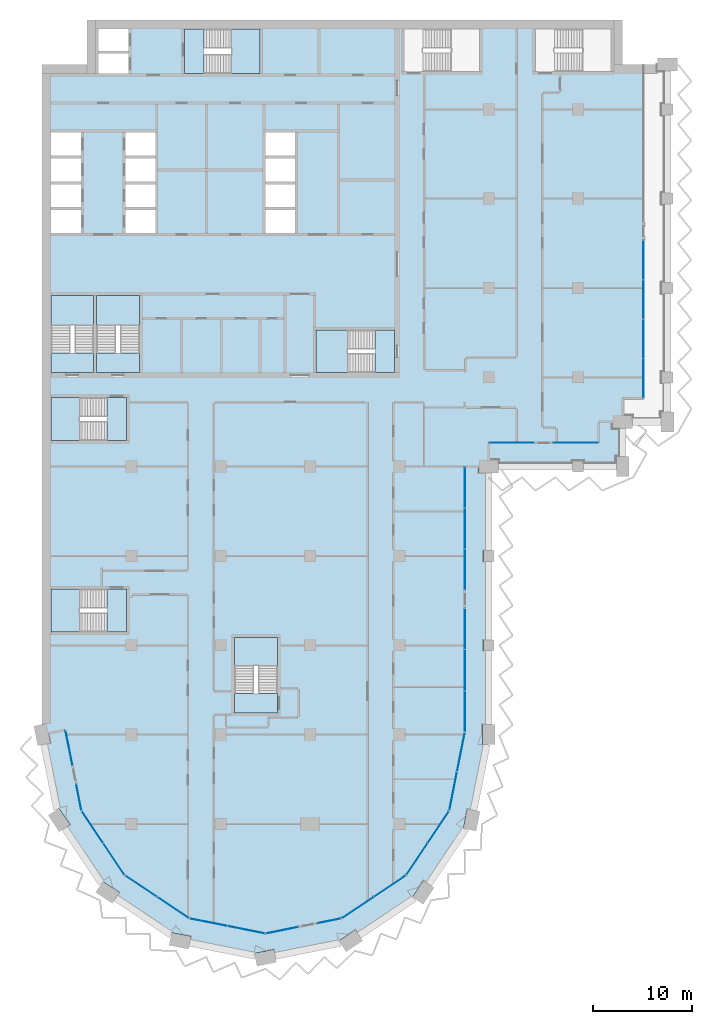
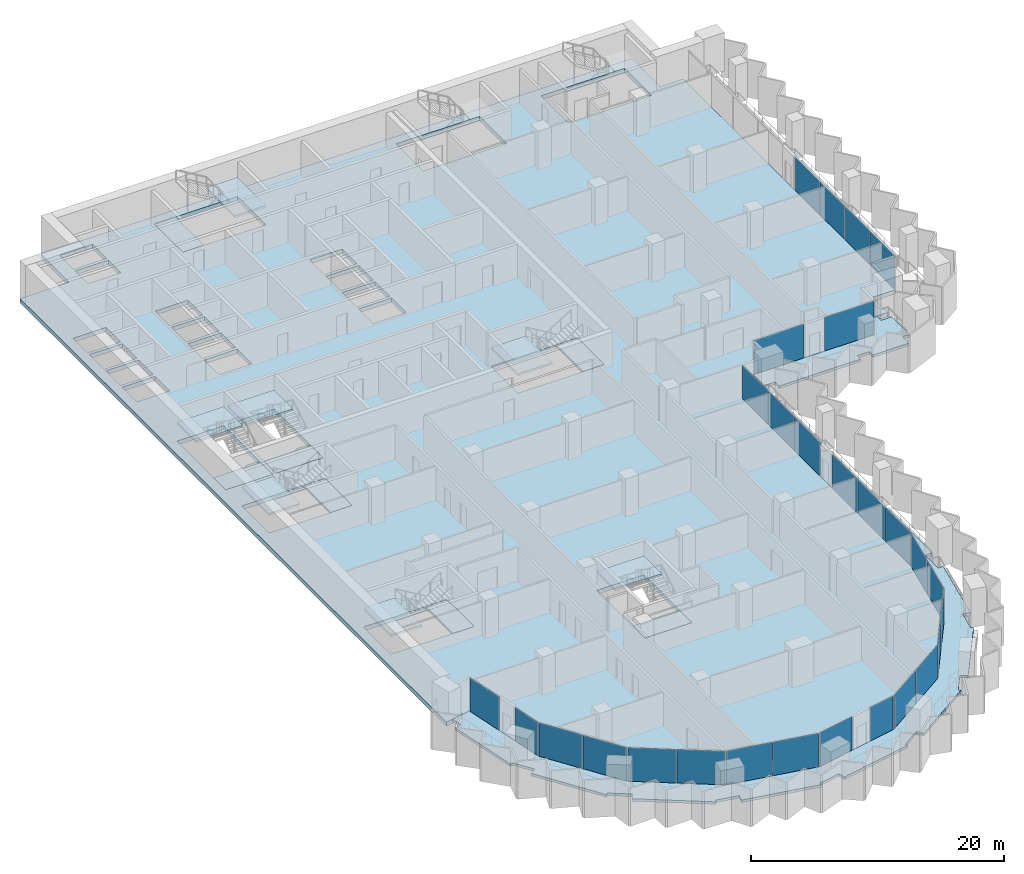
# One storey, part 6 of 22: 28 plates, 17 slabs, 22 elements without a shape of their own.
"""IFC4 building model written with IfcOpenShell, lengths in metres."""

from ifc_helpers import new_model, si_unit, direction, frame, origin, origin_2d, place, context, subcontext, project, spatial, polyline, rectangle, outline, extrude, material, layer, layer_set, type_object, element, aggregate, save


model = new_model("IFC4")

# Units and contexts
model_context = context("Model", 3, precision=1e-05, world=origin(), true_north=direction((0.0, 1.0)))
body_context = subcontext(model_context, "Body", "Model", "MODEL_VIEW")
ifc_project = project(units=[si_unit("LENGTHUNIT", "METRE"), si_unit("AREAUNIT", "SQUARE_METRE"), si_unit("VOLUMEUNIT", "CUBIC_METRE"), si_unit("PLANEANGLEUNIT", "RADIAN"), si_unit("MASSUNIT", "GRAM", prefix="KILO")], contexts=[model_context])

# Site, building, storey
site_placement = place(None, origin())
site = spatial("IfcSite", under=ifc_project, at=site_placement, CompositionType="ELEMENT")
building_placement = place(site_placement, origin())
building = spatial("IfcBuilding", under=site, at=building_placement, Name="Hunhe Ridgeline Campus", CompositionType="ELEMENT")
storey_placement = place(building_placement, frame((0.0, 0.0, 137.5)))
storey = spatial("IfcBuildingStorey", under=building, at=storey_placement, Name="L34", CompositionType="ELEMENT", Elevation=137.5)

# Curtain wall, plate
ifc_material_1 = material(Name="Aluminium 6063", Category="aluminium")
curtain_wall_type_1 = type_object("IfcCurtainWallType", Name="Curtain wall CW-5", PredefinedType="NOTDEFINED", material=ifc_material_1)
curtain_wall_1_placement = place(storey_placement, origin())
curtain_wall_1 = element("IfcCurtainWall", 1, at=curtain_wall_1_placement, inside=storey, type_object=curtain_wall_type_1, Name="Curtain wall 01", PredefinedType="NOTDEFINED")
ifc_material_2 = material(Name="Low-e laminated glass", Category="glass")
ifc_layer_1 = layer(ifc_material_2, 0.028076171875)
ifc_layer_set_1 = layer_set([ifc_layer_1], Name="Curtain wall glass panel 28 low-e laminated")
plate_type = type_object("IfcPlateType", Name="Curtain wall glass panel 28 low-e laminated", PredefinedType="CURTAIN_PANEL", material=ifc_layer_set_1)
plate_1_placement = place(storey_placement, frame((2.7158203125, 25.65380859375, 0.0), z_axis=(0.0, 0.0, 1.0), x_axis=(0.195095326561, -0.980784284924, 0.0)))
plate_1 = element("IfcPlate", 2, at=plate_1_placement, type_object=plate_type, Name="CW-5 panel 1", PredefinedType="CURTAIN_PANEL", context=body_context, shape_type="SweptSolid", body=[
    extrude(rectangle(XDim=3.560791015625, YDim=0.028076171875, at=origin_2d()), origin(), (0.0, 0.0, 1.0), 3.22998046875),
])
aggregate(curtain_wall_1, [plate_1])

curtain_wall_2_placement = place(storey_placement, origin())
curtain_wall_2 = element("IfcCurtainWall", 3, at=curtain_wall_2_placement, inside=storey, type_object=curtain_wall_type_1, Name="Curtain wall 02", PredefinedType="NOTDEFINED")
plate_2_placement = place(storey_placement, frame((3.701171875, 20.699951171875, 0.0), z_axis=(0.0, 0.0, 1.0), x_axis=(0.195095265587, -0.980784297053, 0.0)))
plate_2 = element("IfcPlate", 4, at=plate_2_placement, type_object=plate_type, Name="CW-5 panel 1", PredefinedType="CURTAIN_PANEL", context=body_context, shape_type="SweptSolid", body=[
    extrude(rectangle(XDim=2.660888671875, YDim=0.028076171875, at=origin_2d()), origin(), (0.0, 0.0, 1.0), 3.22998046875),
])
aggregate(curtain_wall_2, [plate_2])

# Curtain wall, plates
curtain_wall_3_placement = place(storey_placement, origin())
curtain_wall_3 = element("IfcCurtainWall", 5, at=curtain_wall_3_placement, inside=storey, type_object=curtain_wall_type_1, Name="Curtain wall 03", PredefinedType="NOTDEFINED")
plate_3_placement = place(storey_placement, frame((5.07080078125, 17.685546875, 0.0), z_axis=(0.0, 0.0, 1.0), x_axis=(0.555570274596, -0.831469584522, 0.0)))
plate_3 = element("IfcPlate", 6, at=plate_3_placement, type_object=plate_type, Name="CW-5 panel 1", PredefinedType="CURTAIN_PANEL", context=body_context, shape_type="SweptSolid", body=[
    extrude(rectangle(XDim=3.806884765625, YDim=0.028076171875, at=origin_2d()), origin(), (0.0, 0.0, 1.0), 3.22998046875),
])
plate_4_placement = place(storey_placement, frame((7.224609375, 14.4619140625, 0.0), z_axis=(0.0, 0.0, 1.0), x_axis=(0.555570274596, -0.831469584522, 0.0)))
plate_4 = element("IfcPlate", 7, at=plate_4_placement, type_object=plate_type, Name="CW-5 panel 2", PredefinedType="CURTAIN_PANEL", context=body_context, shape_type="SweptSolid", body=[
    extrude(rectangle(XDim=3.806884765625, YDim=0.028076171875, at=origin_2d()), origin(), (0.0, 0.0, 1.0), 3.22998046875),
])
aggregate(curtain_wall_3, [plate_3, plate_4])

curtain_wall_4_placement = place(storey_placement, origin())
curtain_wall_4 = element("IfcCurtainWall", 8, at=curtain_wall_4_placement, inside=storey, type_object=curtain_wall_type_1, Name="Curtain wall 04", PredefinedType="NOTDEFINED")
plate_5_placement = place(storey_placement, frame((9.9619140625, 11.724609375, 0.0), z_axis=(0.0, 0.0, 1.0), x_axis=(0.831469584522, -0.555570274596, 0.0)))
plate_5 = element("IfcPlate", 9, at=plate_5_placement, type_object=plate_type, Name="CW-5 panel 1", PredefinedType="CURTAIN_PANEL", context=body_context, shape_type="SweptSolid", body=[
    extrude(rectangle(XDim=3.806884765625, YDim=0.028076171875, at=origin_2d()), origin(), (0.0, 0.0, 1.0), 3.22998046875),
])
plate_6_placement = place(storey_placement, frame((13.185546875, 9.57080078125, 0.0), z_axis=(0.0, 0.0, 1.0), x_axis=(0.831469584522, -0.555570274596, 0.0)))
plate_6 = element("IfcPlate", 10, at=plate_6_placement, type_object=plate_type, Name="CW-5 panel 2", PredefinedType="CURTAIN_PANEL", context=body_context, shape_type="SweptSolid", body=[
    extrude(rectangle(XDim=3.806884765625, YDim=0.028076171875, at=origin_2d()), origin(), (0.0, 0.0, 1.0), 3.22998046875),
])
aggregate(curtain_wall_4, [plate_5, plate_6])

curtain_wall_5_placement = place(storey_placement, origin())
curtain_wall_5 = element("IfcCurtainWall", 11, at=curtain_wall_5_placement, inside=storey, type_object=curtain_wall_type_1, Name="Curtain wall 05", PredefinedType="NOTDEFINED")
plate_7_placement = place(storey_placement, frame((16.761962890625, 8.08935546875, 0.0), z_axis=(0.0, 0.0, 1.0), x_axis=(0.980785275326, -0.195090347539, 0.0)))
plate_7 = element("IfcPlate", 12, at=plate_7_placement, type_object=plate_type, Name="CW-5 panel 1", PredefinedType="CURTAIN_PANEL", context=body_context, shape_type="SweptSolid", body=[
    extrude(rectangle(XDim=3.806884765625, YDim=0.028076171875, at=origin_2d()), origin(), (0.0, 0.0, 1.0), 3.22998046875),
])
plate_8_placement = place(storey_placement, frame((20.564453125, 7.3330078125, 0.0), z_axis=(0.0, 0.0, 1.0), x_axis=(0.980785275326, -0.195090347539, 0.0)))
plate_8 = element("IfcPlate", 13, at=plate_8_placement, type_object=plate_type, Name="CW-5 panel 2", PredefinedType="CURTAIN_PANEL", context=body_context, shape_type="SweptSolid", body=[
    extrude(rectangle(XDim=3.806884765625, YDim=0.028076171875, at=origin_2d()), origin(), (0.0, 0.0, 1.0), 3.22998046875),
])
aggregate(curtain_wall_5, [plate_7, plate_8])

# Curtain wall, plate
curtain_wall_6_placement = place(storey_placement, origin())
curtain_wall_6 = element("IfcCurtainWall", 14, at=curtain_wall_6_placement, inside=storey, type_object=curtain_wall_type_1, Name="Curtain wall 06", PredefinedType="NOTDEFINED")
plate_9_placement = place(storey_placement, frame((24.19775390625, 7.28564453125, 0.0), z_axis=(0.0, 0.0, 1.0), x_axis=(0.980785270791, 0.19509037034, 0.0)))
plate_9 = element("IfcPlate", 15, at=plate_9_placement, type_object=plate_type, Name="CW-5 panel 1", PredefinedType="CURTAIN_PANEL", context=body_context, shape_type="SweptSolid", body=[
    extrude(rectangle(XDim=3.322021484375, YDim=0.028076171875, at=origin_2d()), origin(), (0.0, 0.0, 1.0), 3.22998046875),
])
aggregate(curtain_wall_6, [plate_9])

curtain_wall_7_placement = place(storey_placement, origin())
curtain_wall_7 = element("IfcCurtainWall", 16, at=curtain_wall_7_placement, inside=storey, type_object=curtain_wall_type_1, Name="Curtain wall 07", PredefinedType="NOTDEFINED")
plate_10_placement = place(storey_placement, frame((28.917236328125, 8.224609375, 0.0), z_axis=(0.0, 0.0, 1.0), x_axis=(0.980785242091, 0.195090514627, 0.0)))
plate_10 = element("IfcPlate", 17, at=plate_10_placement, type_object=plate_type, Name="CW-5 panel 1", PredefinedType="CURTAIN_PANEL", context=body_context, shape_type="SweptSolid", body=[
    extrude(rectangle(XDim=2.421875, YDim=0.028076171875, at=origin_2d()), origin(), (0.0, 0.0, 1.0), 3.22998046875),
])
aggregate(curtain_wall_7, [plate_10])

# Curtain wall, plates
curtain_wall_8_placement = place(storey_placement, origin())
curtain_wall_8 = element("IfcCurtainWall", 18, at=curtain_wall_8_placement, inside=storey, type_object=curtain_wall_type_1, Name="Curtain wall 08", PredefinedType="NOTDEFINED")
plate_11_placement = place(storey_placement, frame((31.814453125, 9.57080078125, 0.0), z_axis=(0.0, 0.0, 1.0), x_axis=(0.831469584522, 0.555570274596, 0.0)))
plate_11 = element("IfcPlate", 19, at=plate_11_placement, type_object=plate_type, Name="CW-5 panel 1", PredefinedType="CURTAIN_PANEL", context=body_context, shape_type="SweptSolid", body=[
    extrude(rectangle(XDim=3.806884765625, YDim=0.028076171875, at=origin_2d()), origin(), (0.0, 0.0, 1.0), 3.22998046875),
])
plate_12_placement = place(storey_placement, frame((35.0380859375, 11.724609375, 0.0), z_axis=(0.0, 0.0, 1.0), x_axis=(0.831469584522, 0.555570274596, 0.0)))
plate_12 = element("IfcPlate", 20, at=plate_12_placement, type_object=plate_type, Name="CW-5 panel 2", PredefinedType="CURTAIN_PANEL", context=body_context, shape_type="SweptSolid", body=[
    extrude(rectangle(XDim=3.806884765625, YDim=0.028076171875, at=origin_2d()), origin(), (0.0, 0.0, 1.0), 3.22998046875),
])
aggregate(curtain_wall_8, [plate_11, plate_12])

curtain_wall_9_placement = place(storey_placement, origin())
curtain_wall_9 = element("IfcCurtainWall", 21, at=curtain_wall_9_placement, inside=storey, type_object=curtain_wall_type_1, Name="Curtain wall 09", PredefinedType="NOTDEFINED")
plate_13_placement = place(storey_placement, frame((37.775390625, 14.4619140625, 0.0), z_axis=(0.0, 0.0, 1.0), x_axis=(0.555570274596, 0.831469584522, 0.0)))
plate_13 = element("IfcPlate", 22, at=plate_13_placement, type_object=plate_type, Name="CW-5 panel 1", PredefinedType="CURTAIN_PANEL", context=body_context, shape_type="SweptSolid", body=[
    extrude(rectangle(XDim=3.806884765625, YDim=0.028076171875, at=origin_2d()), origin(), (0.0, 0.0, 1.0), 3.22998046875),
])
plate_14_placement = place(storey_placement, frame((39.92919921875, 17.685546875, 0.0), z_axis=(0.0, 0.0, 1.0), x_axis=(0.555570274596, 0.831469584522, 0.0)))
plate_14 = element("IfcPlate", 23, at=plate_14_placement, type_object=plate_type, Name="CW-5 panel 2", PredefinedType="CURTAIN_PANEL", context=body_context, shape_type="SweptSolid", body=[
    extrude(rectangle(XDim=3.806884765625, YDim=0.028076171875, at=origin_2d()), origin(), (0.0, 0.0, 1.0), 3.22998046875),
])
aggregate(curtain_wall_9, [plate_13, plate_14])

curtain_wall_10_placement = place(storey_placement, origin())
curtain_wall_10 = element("IfcCurtainWall", 24, at=curtain_wall_10_placement, inside=storey, type_object=curtain_wall_type_1, Name="Curtain wall 10", PredefinedType="NOTDEFINED")
plate_15_placement = place(storey_placement, frame((41.42236328125, 21.321044921875, 0.0), z_axis=(0.0, 0.0, 1.0), x_axis=(0.195090299215, 0.980785284939, 0.0)))
plate_15 = element("IfcPlate", 25, at=plate_15_placement, type_object=plate_type, Name="CW-5 panel 1", PredefinedType="CURTAIN_PANEL", context=body_context, shape_type="SweptSolid", body=[
    extrude(rectangle(XDim=3.927490234375, YDim=0.028076171875, at=origin_2d()), origin(), (0.0, 0.0, 1.0), 3.22998046875),
])
plate_16_placement = place(storey_placement, frame((42.2021484375, 25.24169921875, 0.0), z_axis=(0.0, 0.0, 1.0), x_axis=(0.195090299215, 0.980785284939, 0.0)))
plate_16 = element("IfcPlate", 26, at=plate_16_placement, type_object=plate_type, Name="CW-5 panel 2", PredefinedType="CURTAIN_PANEL", context=body_context, shape_type="SweptSolid", body=[
    extrude(rectangle(XDim=3.927490234375, YDim=0.028076171875, at=origin_2d()), origin(), (0.0, 0.0, 1.0), 3.22998046875),
])
aggregate(curtain_wall_10, [plate_15, plate_16])

curtain_wall_type_2 = type_object("IfcCurtainWallType", Name="Curtain wall CW-1", PredefinedType="NOTDEFINED", material=ifc_material_1)
curtain_wall_11_placement = place(storey_placement, origin())
curtain_wall_11 = element("IfcCurtainWall", 27, at=curtain_wall_11_placement, inside=storey, type_object=curtain_wall_type_2, Name="Curtain wall 11", PredefinedType="NOTDEFINED")
plate_17_placement = place(storey_placement, frame((42.59912109375, 29.331787109375, 0.0), z_axis=(0.0, 0.0, 1.0), x_axis=(4.406345e-06, 0.99999999999, 0.0)))
plate_17 = element("IfcPlate", 28, at=plate_17_placement, type_object=plate_type, Name="CW-1 panel 1", PredefinedType="CURTAIN_PANEL", context=body_context, shape_type="SweptSolid", body=[
    extrude(rectangle(XDim=4.070556640625, YDim=0.028076171875, at=origin_2d()), origin(), (0.0, 0.0, 1.0), 3.239990234375),
])
plate_18_placement = place(storey_placement, frame((42.59912109375, 33.4775390625, 0.0), z_axis=(0.0, 0.0, 1.0), x_axis=(4.406345e-06, 0.99999999999, 0.0)))
plate_18 = element("IfcPlate", 29, at=plate_18_placement, type_object=plate_type, Name="CW-1 panel 2", PredefinedType="CURTAIN_PANEL", context=body_context, shape_type="SweptSolid", body=[
    extrude(rectangle(XDim=4.1005859375, YDim=0.028076171875, at=origin_2d()), origin(), (0.0, 0.0, 1.0), 3.239990234375),
])
plate_19_placement = place(storey_placement, frame((42.59912109375, 37.623046875, 0.0), z_axis=(0.0, 0.0, 1.0), x_axis=(4.406345e-06, 0.99999999999, 0.0)))
plate_19 = element("IfcPlate", 30, at=plate_19_placement, type_object=plate_type, Name="CW-1 panel 3", PredefinedType="CURTAIN_PANEL", context=body_context, shape_type="SweptSolid", body=[
    extrude(rectangle(XDim=4.070556640625, YDim=0.028076171875, at=origin_2d()), origin(), (0.0, 0.0, 1.0), 3.239990234375),
])
aggregate(curtain_wall_11, [plate_17, plate_18, plate_19])

curtain_wall_12_placement = place(storey_placement, origin())
curtain_wall_12 = element("IfcCurtainWall", 31, at=curtain_wall_12_placement, inside=storey, type_object=curtain_wall_type_2, Name="Curtain wall 12", PredefinedType="NOTDEFINED")
plate_20_placement = place(storey_placement, frame((42.59912109375, 43.61376953125, 0.0), z_axis=(0.0, 0.0, 1.0), x_axis=(4.406345e-06, 0.99999999999, 0.0)))
plate_20 = element("IfcPlate", 32, at=plate_20_placement, type_object=plate_type, Name="CW-1 panel 1", PredefinedType="CURTAIN_PANEL", context=body_context, shape_type="SweptSolid", body=[
    extrude(rectangle(XDim=4.070556640625, YDim=0.028076171875, at=origin_2d()), origin(), (0.0, 0.0, 1.0), 3.239990234375),
])
plate_21_placement = place(storey_placement, frame((42.59912109375, 47.759521484375, 0.0), z_axis=(0.0, 0.0, 1.0), x_axis=(4.406345e-06, 0.99999999999, 0.0)))
plate_21 = element("IfcPlate", 33, at=plate_21_placement, type_object=plate_type, Name="CW-1 panel 2", PredefinedType="CURTAIN_PANEL", context=body_context, shape_type="SweptSolid", body=[
    extrude(rectangle(XDim=4.1005859375, YDim=0.028076171875, at=origin_2d()), origin(), (0.0, 0.0, 1.0), 3.239990234375),
])
plate_22_placement = place(storey_placement, frame((42.59912109375, 51.905029296875, 0.0), z_axis=(0.0, 0.0, 1.0), x_axis=(4.406345e-06, 0.99999999999, 0.0)))
plate_22 = element("IfcPlate", 34, at=plate_22_placement, type_object=plate_type, Name="CW-1 panel 3", PredefinedType="CURTAIN_PANEL", context=body_context, shape_type="SweptSolid", body=[
    extrude(rectangle(XDim=4.070556640625, YDim=0.028076171875, at=origin_2d()), origin(), (0.0, 0.0, 1.0), 3.239990234375),
])
aggregate(curtain_wall_12, [plate_20, plate_21, plate_22])

# Curtain wall, plate
curtain_wall_13_placement = place(storey_placement, origin())
curtain_wall_13 = element("IfcCurtainWall", 35, at=curtain_wall_13_placement, inside=storey, type_object=curtain_wall_type_2, Name="Curtain wall 13", PredefinedType="NOTDEFINED")
plate_23_placement = place(storey_placement, frame((47.32470703125, 56.40087890625, 0.0), z_axis=(0.0, 0.0, 1.0), x_axis=(0.999999999999, 1.72058e-06, 0.0)))
plate_23 = element("IfcPlate", 36, at=plate_23_placement, type_object=plate_type, Name="CW-1 panel 1", PredefinedType="CURTAIN_PANEL", context=body_context, shape_type="SweptSolid", body=[
    extrude(rectangle(XDim=4.529541015625, YDim=0.028076171875, at=origin_2d()), origin(), (0.0, 0.0, 1.0), 3.239990234375),
])
aggregate(curtain_wall_13, [plate_23])

curtain_wall_14_placement = place(storey_placement, origin())
curtain_wall_14 = element("IfcCurtainWall", 37, at=curtain_wall_14_placement, inside=storey, type_object=curtain_wall_type_2, Name="Curtain wall 14", PredefinedType="NOTDEFINED")
plate_24_placement = place(storey_placement, frame((53.774169921875, 56.40087890625, 0.0), z_axis=(0.0, 0.0, 1.0), x_axis=(0.999999999999, 1.72058e-06, 0.0)))
plate_24 = element("IfcPlate", 38, at=plate_24_placement, type_object=plate_type, Name="CW-1 panel 1", PredefinedType="CURTAIN_PANEL", context=body_context, shape_type="SweptSolid", body=[
    extrude(rectangle(XDim=4.529541015625, YDim=0.028076171875, at=origin_2d()), origin(), (0.0, 0.0, 1.0), 3.239990234375),
])
aggregate(curtain_wall_14, [plate_24])

# Curtain wall, plates
curtain_wall_15_placement = place(storey_placement, origin())
curtain_wall_15 = element("IfcCurtainWall", 39, at=curtain_wall_15_placement, inside=storey, type_object=curtain_wall_type_2, Name="Curtain wall 15", PredefinedType="NOTDEFINED")
plate_25_placement = place(storey_placement, frame((60.59912109375, 62.9033203125, 0.0), z_axis=(0.0, 0.0, 1.0), x_axis=(0.0, 1.0, 0.0)))
plate_25 = element("IfcPlate", 40, at=plate_25_placement, type_object=plate_type, Name="CW-1 panel 1", PredefinedType="CURTAIN_PANEL", context=body_context, shape_type="SweptSolid", body=[
    extrude(rectangle(XDim=3.884765625, YDim=0.028076171875, at=origin_2d()), origin(), (0.0, 0.0, 1.0), 3.239990234375),
])
plate_26_placement = place(storey_placement, frame((60.59912109375, 66.86328125, 0.0), z_axis=(0.0, 0.0, 1.0), x_axis=(0.0, 1.0, 0.0)))
plate_26 = element("IfcPlate", 41, at=plate_26_placement, type_object=plate_type, Name="CW-1 panel 2", PredefinedType="CURTAIN_PANEL", context=body_context, shape_type="SweptSolid", body=[
    extrude(rectangle(XDim=3.914794921875, YDim=0.028076171875, at=origin_2d()), origin(), (0.0, 0.0, 1.0), 3.239990234375),
])
plate_27_placement = place(storey_placement, frame((60.59912109375, 70.838134765625, 0.0), z_axis=(0.0, 0.0, 1.0), x_axis=(0.0, 1.0, 0.0)))
plate_27 = element("IfcPlate", 42, at=plate_27_placement, type_object=plate_type, Name="CW-1 panel 3", PredefinedType="CURTAIN_PANEL", context=body_context, shape_type="SweptSolid", body=[
    extrude(rectangle(XDim=3.914794921875, YDim=0.028076171875, at=origin_2d()), origin(), (0.0, 0.0, 1.0), 3.239990234375),
])
plate_28_placement = place(storey_placement, frame((60.59912109375, 74.798095703125, 0.0), z_axis=(0.0, 0.0, 1.0), x_axis=(0.0, 1.0, 0.0)))
plate_28 = element("IfcPlate", 43, at=plate_28_placement, type_object=plate_type, Name="CW-1 panel 4", PredefinedType="CURTAIN_PANEL", context=body_context, shape_type="SweptSolid", body=[
    extrude(rectangle(XDim=3.884765625, YDim=0.028076171875, at=origin_2d()), origin(), (0.0, 0.0, 1.0), 3.239990234375),
])
aggregate(curtain_wall_15, [plate_25, plate_26, plate_27, plate_28])

# Slabs
ifc_material_3 = material(Name="Concrete C40", Category="concrete")
ifc_layer_2 = layer(ifc_material_3, 0.39990234375)
ifc_layer_set_2 = layer_set([ifc_layer_2], Name="Floor slab 400 Concrete C40")
slab_type_1 = type_object("IfcSlabType", Name="Floor slab 400 Concrete C40", PredefinedType="FLOOR", material=ifc_layer_set_2)
slab_1_placement = place(storey_placement, frame((0.0, 0.0, -0.39990234375)))
element("IfcSlab", 44, at=slab_1_placement, inside=storey, type_object=slab_type_1, Name="Floor slab L34 1", PredefinedType="FLOOR", context=body_context, shape_type="SweptSolid", body=[
    extrude(outline(polyline([(2.354736328125, 27.46875), (3.974365234375, 19.326416015625), (8.321044921875, 12.821044921875), (14.826416015625, 8.474365234375), (22.5, 6.947998046875), (30.173583984375, 8.474365234375), (36.678955078125, 12.821044921875), (41.025634765625, 19.326416015625), (42.59912109375, 27.236572265625), (42.59912109375, 54.00048828125), (44.9990234375, 54.0009765625), (44.999755859375, 56.40087890625), (56.09912109375, 56.40087890625), (56.099365234375, 58.500732421875), (58.4990234375, 58.5009765625), (58.499267578125, 60.900634765625), (60.59912109375, 60.90087890625), (60.59912109375, 94.5), (58.5, 94.5), (58.5, 99.0), (4.5, 99.0), (4.5, 94.5), (0.0, 94.5), (0.0, 27.0009765625), (2.354736328125, 27.46875)]), holes=[polyline([(49.699951171875, 93.800048828125), (57.300048828125, 93.800048828125), (57.300048828125, 98.10009765625), (49.699951171875, 98.10009765625), (49.699951171875, 93.800048828125)]), polyline([(44.050048828125, 93.800048828125), (44.050048828125, 98.10009765625), (36.449951171875, 98.10009765625), (36.449951171875, 93.800048828125), (44.050048828125, 93.800048828125)]), polyline([(35.5, 67.75), (27.60009765625, 67.75), (27.60009765625, 63.5), (35.5, 63.5), (35.5, 67.75)]), polyline([(25.5, 82.75), (25.5, 85.050048828125), (22.5, 85.050048828125), (22.5, 82.75), (25.5, 82.75)]), polyline([(25.5, 82.449951171875), (22.5, 82.449951171875), (22.5, 80.14990234375), (25.5, 80.14990234375), (25.5, 82.449951171875)]), polyline([(22.5, 85.35009765625), (25.5, 85.35009765625), (25.5, 87.64990234375), (22.5, 87.64990234375), (22.5, 85.35009765625)]), polyline([(22.5, 79.85009765625), (22.5, 77.550048828125), (25.5, 77.550048828125), (25.5, 79.85009765625), (22.5, 79.85009765625)]), polyline([(19.39990234375, 29.199951171875), (23.699951171875, 29.199951171875), (23.699951171875, 36.800048828125), (19.39990234375, 36.800048828125), (19.39990234375, 29.199951171875)]), polyline([(21.949951171875, 93.60009765625), (21.949951171875, 98.10009765625), (14.35009765625, 98.10009765625), (14.35009765625, 93.60009765625), (21.949951171875, 93.60009765625)]), polyline([(8.39990234375, 79.85009765625), (8.39990234375, 77.550048828125), (11.39990234375, 77.550048828125), (11.39990234375, 79.85009765625), (8.39990234375, 79.85009765625)]), polyline([(8.39990234375, 85.35009765625), (11.39990234375, 85.35009765625), (11.39990234375, 87.64990234375), (8.39990234375, 87.64990234375), (8.39990234375, 85.35009765625)]), polyline([(11.39990234375, 82.449951171875), (8.39990234375, 82.449951171875), (8.39990234375, 80.14990234375), (11.39990234375, 80.14990234375), (11.39990234375, 82.449951171875)]), polyline([(11.39990234375, 82.75), (11.39990234375, 85.050048828125), (8.39990234375, 85.050048828125), (8.39990234375, 82.75), (11.39990234375, 82.75)]), polyline([(5.5, 71.25), (5.5, 63.5), (9.800048828125, 63.5), (9.800048828125, 71.25), (5.5, 71.25)]), polyline([(8.699951171875, 98.10009765625), (5.699951171875, 98.10009765625), (5.699951171875, 95.89990234375), (8.699951171875, 95.89990234375), (8.699951171875, 98.10009765625)]), polyline([(5.699951171875, 95.60009765625), (5.699951171875, 93.60009765625), (8.699951171875, 93.60009765625), (8.699951171875, 95.60009765625), (5.699951171875, 95.60009765625)]), polyline([(0.89990234375, 60.949951171875), (0.89990234375, 56.64990234375), (8.5, 56.64990234375), (8.5, 60.949951171875), (0.89990234375, 60.949951171875)]), polyline([(0.89990234375, 37.35009765625), (8.5, 37.35009765625), (8.5, 41.64990234375), (0.89990234375, 41.64990234375), (0.89990234375, 37.35009765625)]), polyline([(0.89990234375, 63.5), (5.199951171875, 63.5), (5.199951171875, 71.25), (0.89990234375, 71.25), (0.89990234375, 63.5)]), polyline([(3.89990234375, 82.75), (3.89990234375, 85.050048828125), (0.89990234375, 85.050048828125), (0.89990234375, 82.75), (3.89990234375, 82.75)]), polyline([(3.89990234375, 82.449951171875), (0.89990234375, 82.449951171875), (0.89990234375, 80.14990234375), (3.89990234375, 80.14990234375), (3.89990234375, 82.449951171875)]), polyline([(0.89990234375, 85.35009765625), (3.89990234375, 85.35009765625), (3.89990234375, 87.64990234375), (0.89990234375, 87.64990234375), (0.89990234375, 85.35009765625)]), polyline([(0.89990234375, 79.85009765625), (0.89990234375, 77.550048828125), (3.89990234375, 77.550048828125), (3.89990234375, 79.85009765625), (0.89990234375, 79.85009765625)])]), origin(), (0.0, 0.0, 1.0), 0.39990234375),
])
ifc_layer_3 = layer(ifc_material_3, 0.25)
ifc_layer_set_3 = layer_set([ifc_layer_3], Name="Loggia slab 250 Concrete C40")
slab_type_2 = type_object("IfcSlabType", Name="Loggia slab 250 Concrete C40", PredefinedType="FLOOR", material=ifc_layer_set_3)
slab_2_placement = place(storey_placement, frame((0.0, 0.0, -0.25)))
element("IfcSlab", 45, at=slab_2_placement, inside=storey, type_object=slab_type_2, Name="Loggia slab 1", PredefinedType="FLOOR", context=body_context, shape_type="SweptSolid", body=[
    extrude(outline(polyline([(30.173828125, 8.473388671875), (22.5, 6.947021484375), (14.826171875, 8.473388671875), (8.3203125, 12.8203125), (3.973388671875, 19.326171875), (2.35400390625, 27.46826171875), (0.637451171875, 27.126708984375), (0.83251953125, 26.14599609375), (0.195068359375, 26.019287109375), (1.50146484375, 19.451171875), (1.697509765625, 19.582275390625), (2.808837890625, 17.919189453125), (2.268310546875, 17.55810546875), (5.98876953125, 11.989990234375), (6.11962890625, 12.18603515625), (7.78271484375, 11.074951171875), (7.421630859375, 10.534423828125), (12.98974609375, 6.81396484375), (13.03564453125, 7.04541015625), (14.997314453125, 6.655029296875), (14.870361328125, 6.017578125), (21.4384765625, 4.711181640625), (21.392333984375, 4.9423828125), (23.35400390625, 5.33251953125), (23.480712890625, 4.695068359375), (30.048828125, 6.00146484375), (29.917724609375, 6.197509765625), (31.580810546875, 7.308837890625), (31.94189453125, 6.768310546875), (37.510009765625, 10.48876953125), (37.31396484375, 10.61962890625), (38.425048828125, 12.28271484375), (38.965576171875, 11.921630859375), (42.68603515625, 17.48974609375), (42.45458984375, 17.53564453125), (42.844970703125, 19.497314453125), (43.482421875, 19.370361328125), (44.801025390625, 26.0), (44.35009765625, 26.0), (44.35009765625, 28.0), (45.0, 28.0), (45.0, 35.449951171875), (44.449951171875, 35.449951171875), (44.449951171875, 36.550048828125), (45.0, 36.550048828125), (45.0, 44.449951171875), (44.449951171875, 44.449951171875), (44.449951171875, 45.550048828125), (45.0, 45.550048828125), (45.0, 53.35009765625), (44.0, 53.35009765625), (44.0, 54.0), (42.60009765625, 54.0), (42.60009765625, 27.236328125), (41.026611328125, 19.326171875), (36.6796875, 12.8203125), (30.173828125, 8.473388671875)])), origin(), (0.0, 0.0, 1.0), 0.25),
])
slab_3_placement = place(storey_placement, frame((0.0, 0.0, -0.25)))
element("IfcSlab", 46, at=slab_3_placement, inside=storey, type_object=slab_type_2, Name="Loggia slab 2", PredefinedType="FLOOR", context=body_context, shape_type="SweptSolid", body=[
    extrude(outline(polyline([(45.0, 54.64990234375), (46.0, 54.64990234375), (46.0, 54.0), (53.449951171875, 54.0), (53.449951171875, 54.550048828125), (54.550048828125, 54.550048828125), (54.550048828125, 54.0), (57.85009765625, 54.0), (57.85009765625, 55.0), (58.5, 55.0), (58.5, 57.85009765625), (57.5, 57.85009765625), (57.5, 58.5), (56.10009765625, 58.5), (56.10009765625, 56.39990234375), (45.0, 56.39990234375), (45.0, 54.64990234375)])), origin(), (0.0, 0.0, 1.0), 0.25),
])

# Stair, slab
stair_type = type_object("IfcStairType", Name="Reinforced concrete dog-leg stair 1950 Concrete C40", PredefinedType="HALF_TURN_STAIR", material=ifc_material_3)
stair_1_placement = place(storey_placement, origin())
stair_1 = element("IfcStair", 47, at=stair_1_placement, inside=storey, type_object=stair_type, Name="L34 S1", PredefinedType="HALF_TURN_STAIR")
ifc_layer_4 = layer(ifc_material_3, 0.199951171875)
ifc_layer_set_4 = layer_set([ifc_layer_4], Name="Reinforced concrete stair landing 200 Concrete C40")
slab_type_3 = type_object("IfcSlabType", Name="Reinforced concrete stair landing 200 Concrete C40", PredefinedType="LANDING", material=ifc_layer_set_4)
slab_4_placement = place(storey_placement, frame((0.0, 0.0, 1.64990234375)))
slab_4 = element("IfcSlab", 48, at=slab_4_placement, type_object=slab_type_3, Name="ST1 landing 1", PredefinedType="LANDING", context=body_context, shape_type="SweptSolid", body=[
    extrude(outline(polyline([(19.10009765625, 93.60009765625), (21.949951171875, 93.60009765625), (21.949951171875, 98.10009765625), (19.10009765625, 98.10009765625), (19.10009765625, 93.60009765625)])), origin(), (0.0, 0.0, 1.0), 0.2001953125),
])
aggregate(stair_1, [slab_4])

# Slab
slab_5_placement = place(storey_placement, frame((0.0, 0.0, -0.199951171875)))
element("IfcSlab", 49, at=slab_5_placement, inside=storey, type_object=slab_type_3, Name="L34 stair S1 floor landing", PredefinedType="LANDING", context=body_context, shape_type="SweptSolid", body=[
    extrude(outline(polyline([(14.35009765625, 93.60009765625), (16.300048828125, 93.60009765625), (16.300048828125, 98.10009765625), (14.35009765625, 98.10009765625), (14.35009765625, 93.60009765625)])), origin(), (0.0, 0.0, 1.0), 0.199951171875),
])

# Stair, slab
stair_2_placement = place(storey_placement, origin())
stair_2 = element("IfcStair", 50, at=stair_2_placement, inside=storey, type_object=stair_type, Name="L34 S2", PredefinedType="HALF_TURN_STAIR")
slab_6_placement = place(storey_placement, frame((0.0, 0.0, 1.64990234375)))
slab_6 = element("IfcSlab", 51, at=slab_6_placement, type_object=slab_type_3, Name="ST2 landing 1", PredefinedType="LANDING", context=body_context, shape_type="SweptSolid", body=[
    extrude(outline(polyline([(30.75, 67.75), (27.60009765625, 67.75), (27.60009765625, 63.5), (30.75, 63.5), (30.75, 67.75)])), origin(), (0.0, 0.0, 1.0), 0.2001953125),
])
aggregate(stair_2, [slab_6])

# Slab
slab_7_placement = place(storey_placement, frame((0.0, 0.0, -0.199951171875)))
element("IfcSlab", 52, at=slab_7_placement, inside=storey, type_object=slab_type_3, Name="L34 stair S2 floor landing", PredefinedType="LANDING", context=body_context, shape_type="SweptSolid", body=[
    extrude(outline(polyline([(35.5, 67.75), (33.550048828125, 67.75), (33.550048828125, 63.5), (35.5, 63.5), (35.5, 67.75)])), origin(), (0.0, 0.0, 1.0), 0.199951171875),
])

# Stair, slab
stair_3_placement = place(storey_placement, origin())
stair_3 = element("IfcStair", 53, at=stair_3_placement, inside=storey, type_object=stair_type, Name="L34 S3", PredefinedType="HALF_TURN_STAIR")
slab_8_placement = place(storey_placement, frame((0.0, 0.0, 1.64990234375)))
slab_8 = element("IfcSlab", 54, at=slab_8_placement, type_object=slab_type_3, Name="ST3 landing 1", PredefinedType="LANDING", context=body_context, shape_type="SweptSolid", body=[
    extrude(outline(polyline([(5.199951171875, 68.25), (5.199951171875, 71.25), (0.89990234375, 71.25), (0.89990234375, 68.25), (5.199951171875, 68.25)])), origin(), (0.0, 0.0, 1.0), 0.2001953125),
])
aggregate(stair_3, [slab_8])

# Slab
slab_9_placement = place(storey_placement, frame((0.0, 0.0, -0.199951171875)))
element("IfcSlab", 55, at=slab_9_placement, inside=storey, type_object=slab_type_3, Name="L34 stair S3 floor landing", PredefinedType="LANDING", context=body_context, shape_type="SweptSolid", body=[
    extrude(outline(polyline([(5.199951171875, 63.5), (5.199951171875, 65.449951171875), (0.89990234375, 65.449951171875), (0.89990234375, 63.5), (5.199951171875, 63.5)])), origin(), (0.0, 0.0, 1.0), 0.199951171875),
])

# Stair, slab
stair_4_placement = place(storey_placement, origin())
stair_4 = element("IfcStair", 56, at=stair_4_placement, inside=storey, type_object=stair_type, Name="L34 S4", PredefinedType="HALF_TURN_STAIR")
slab_10_placement = place(storey_placement, frame((0.0, 0.0, 1.64990234375)))
slab_10 = element("IfcSlab", 57, at=slab_10_placement, type_object=slab_type_3, Name="ST4 landing 1", PredefinedType="LANDING", context=body_context, shape_type="SweptSolid", body=[
    extrude(outline(polyline([(9.800048828125, 68.25), (9.800048828125, 71.25), (5.5, 71.25), (5.5, 68.25), (9.800048828125, 68.25)])), origin(), (0.0, 0.0, 1.0), 0.2001953125),
])
aggregate(stair_4, [slab_10])

# Slab
slab_11_placement = place(storey_placement, frame((0.0, 0.0, -0.199951171875)))
element("IfcSlab", 58, at=slab_11_placement, inside=storey, type_object=slab_type_3, Name="L34 stair S4 floor landing", PredefinedType="LANDING", context=body_context, shape_type="SweptSolid", body=[
    extrude(outline(polyline([(9.800048828125, 63.5), (9.800048828125, 65.449951171875), (5.5, 65.449951171875), (5.5, 63.5), (9.800048828125, 63.5)])), origin(), (0.0, 0.0, 1.0), 0.199951171875),
])

# Stair, slab
stair_5_placement = place(storey_placement, origin())
stair_5 = element("IfcStair", 59, at=stair_5_placement, inside=storey, type_object=stair_type, Name="L34 W3", PredefinedType="HALF_TURN_STAIR")
slab_12_placement = place(storey_placement, frame((0.0, 0.0, 1.64990234375)))
slab_12 = element("IfcSlab", 60, at=slab_12_placement, type_object=slab_type_3, Name="ST9 landing 1", PredefinedType="LANDING", context=body_context, shape_type="SweptSolid", body=[
    extrude(outline(polyline([(23.699951171875, 33.949951171875), (23.699951171875, 36.800048828125), (19.39990234375, 36.800048828125), (19.39990234375, 33.949951171875), (23.699951171875, 33.949951171875)])), origin(), (0.0, 0.0, 1.0), 0.2001953125),
])
aggregate(stair_5, [slab_12])

# Slab
slab_13_placement = place(storey_placement, frame((0.0, 0.0, -0.199951171875)))
element("IfcSlab", 61, at=slab_13_placement, inside=storey, type_object=slab_type_3, Name="L34 stair W3 floor landing", PredefinedType="LANDING", context=body_context, shape_type="SweptSolid", body=[
    extrude(outline(polyline([(23.699951171875, 29.199951171875), (23.699951171875, 31.14990234375), (19.39990234375, 31.14990234375), (19.39990234375, 29.199951171875), (23.699951171875, 29.199951171875)])), origin(), (0.0, 0.0, 1.0), 0.199951171875),
])

# Stair, slab
stair_6_placement = place(storey_placement, origin())
stair_6 = element("IfcStair", 62, at=stair_6_placement, inside=storey, type_object=stair_type, Name="L34 W1", PredefinedType="HALF_TURN_STAIR")
slab_14_placement = place(storey_placement, frame((0.0, 0.0, 1.64990234375)))
slab_14 = element("IfcSlab", 63, at=slab_14_placement, type_object=slab_type_3, Name="ST11 landing 1", PredefinedType="LANDING", context=body_context, shape_type="SweptSolid", body=[
    extrude(outline(polyline([(3.75, 41.64990234375), (0.89990234375, 41.64990234375), (0.89990234375, 37.35009765625), (3.75, 37.35009765625), (3.75, 41.64990234375)])), origin(), (0.0, 0.0, 1.0), 0.2001953125),
])
aggregate(stair_6, [slab_14])

# Slab
slab_15_placement = place(storey_placement, frame((0.0, 0.0, -0.199951171875)))
element("IfcSlab", 64, at=slab_15_placement, inside=storey, type_object=slab_type_3, Name="L34 stair W1 floor landing", PredefinedType="LANDING", context=body_context, shape_type="SweptSolid", body=[
    extrude(outline(polyline([(8.5, 41.64990234375), (6.550048828125, 41.64990234375), (6.550048828125, 37.35009765625), (8.5, 37.35009765625), (8.5, 41.64990234375)])), origin(), (0.0, 0.0, 1.0), 0.199951171875),
])

# Stair, slab
stair_7_placement = place(storey_placement, origin())
stair_7 = element("IfcStair", 65, at=stair_7_placement, inside=storey, type_object=stair_type, Name="L34 W2", PredefinedType="HALF_TURN_STAIR")
slab_16_placement = place(storey_placement, frame((0.0, 0.0, 1.64990234375)))
slab_16 = element("IfcSlab", 66, at=slab_16_placement, type_object=slab_type_3, Name="ST12 landing 1", PredefinedType="LANDING", context=body_context, shape_type="SweptSolid", body=[
    extrude(outline(polyline([(3.75, 60.949951171875), (0.89990234375, 60.949951171875), (0.89990234375, 56.64990234375), (3.75, 56.64990234375), (3.75, 60.949951171875)])), origin(), (0.0, 0.0, 1.0), 0.2001953125),
])
aggregate(stair_7, [slab_16])

# Slab
slab_17_placement = place(storey_placement, frame((0.0, 0.0, -0.199951171875)))
element("IfcSlab", 67, at=slab_17_placement, inside=storey, type_object=slab_type_3, Name="L34 stair W2 floor landing", PredefinedType="LANDING", context=body_context, shape_type="SweptSolid", body=[
    extrude(outline(polyline([(8.5, 60.949951171875), (6.550048828125, 60.949951171875), (6.550048828125, 56.64990234375), (8.5, 56.64990234375), (8.5, 60.949951171875)])), origin(), (0.0, 0.0, 1.0), 0.199951171875),
])

save(model, "model.ifc")
